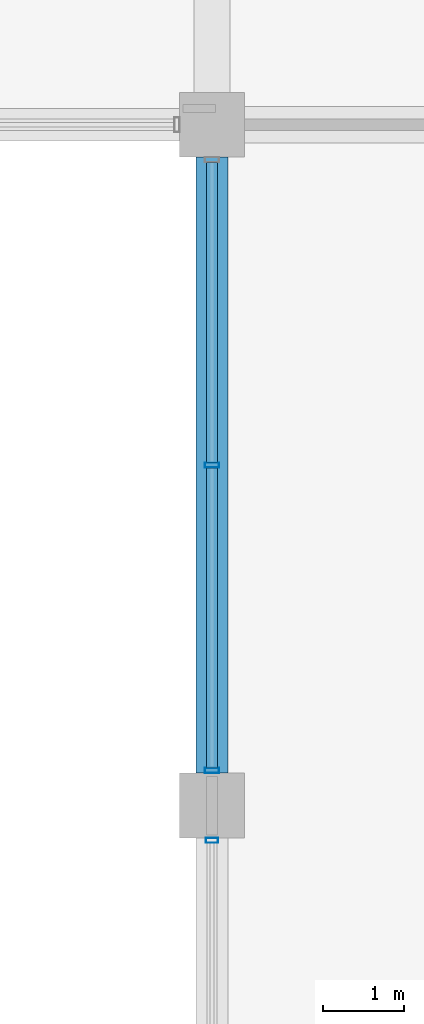
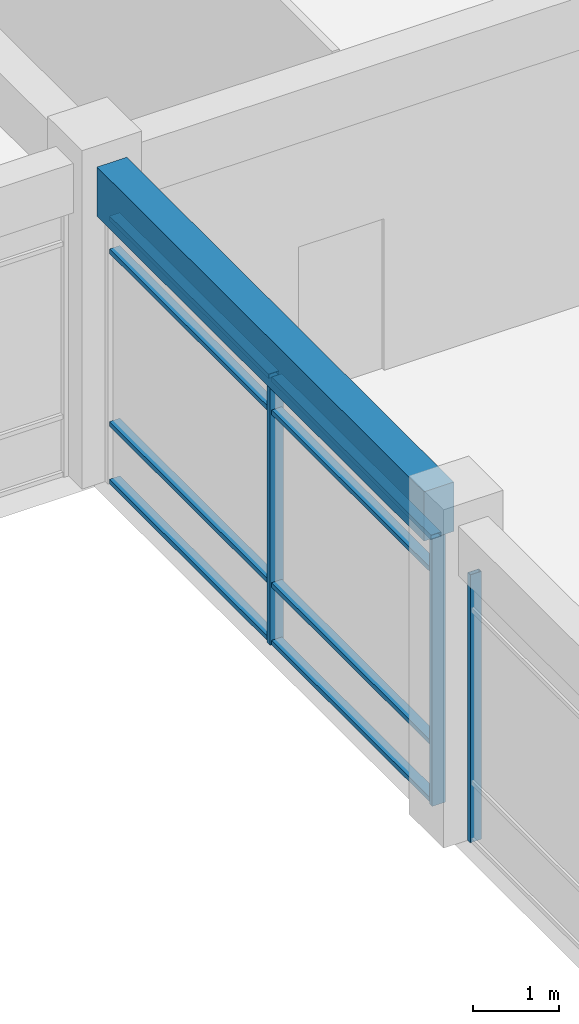
# One storey, part 33 of 62: 11 members, 1 beam, 2 elements without a shape of their own.
"""IFC4 building model written with IfcOpenShell, lengths in metres."""

from ifc_helpers import new_model, si_unit, direction, frame, origin, origin_2d, place, context, subcontext, project, spatial, rectangle, hollow_rectangle, extrude, material, material_profile, profile_set, type_object, element, aggregate, save


model = new_model("IFC4")

# Units and contexts
model_context = context("Model", 3, precision=1e-05, world=origin(), true_north=direction((0.0, 1.0)))
body_context = subcontext(model_context, "Body", "Model", "MODEL_VIEW")
ifc_project = project(units=[si_unit("LENGTHUNIT", "METRE"), si_unit("AREAUNIT", "SQUARE_METRE"), si_unit("VOLUMEUNIT", "CUBIC_METRE"), si_unit("PLANEANGLEUNIT", "RADIAN"), si_unit("MASSUNIT", "GRAM", prefix="KILO"), si_unit("THERMODYNAMICTEMPERATUREUNIT", "KELVIN"), si_unit("POWERUNIT", "WATT")], contexts=[model_context])

# Site, building, storey
site_placement = place(None, origin())
site = spatial("IfcSite", under=ifc_project, at=site_placement, CompositionType="ELEMENT")
building_placement = place(site_placement, origin())
building = spatial("IfcBuilding", under=site, at=building_placement, Name="Srebrne Nadtorze General Hospital", CompositionType="ELEMENT")
storey_placement = place(building_placement, frame((0.0, 0.0, 9.60009765625)))
storey = spatial("IfcBuildingStorey", under=building, at=storey_placement, Name="L02", CompositionType="ELEMENT", Elevation=9.60009765625)

# Curtain wall, member
ifc_material_1 = material(Name="Anodised Aluminium", Category="aluminium")
curtain_wall_type = type_object("IfcCurtainWallType", Name="Unitised curtain wall 7600x3800", PredefinedType="NOTDEFINED", material=ifc_material_1)
curtain_wall_1_placement = place(storey_placement, origin())
curtain_wall_1 = element("IfcCurtainWall", 1, at=curtain_wall_1_placement, inside=storey, type_object=curtain_wall_type, Name="Curtain wall CW-088", PredefinedType="NOTDEFINED")
ifc_material_2 = material(Name="Anodised Aluminium", Category="aluminium")
ifc_material_profile_1 = material_profile(ifc_material_2, hollow_rectangle(XDim=0.06005859375, YDim=0.14990234375, WallThickness=0.00390625, at=origin_2d()), Name="AL-MUL-60x150")
ifc_profile_set_1 = profile_set([ifc_material_profile_1], Name="Anodised Aluminium")
member_type_1 = type_object("IfcMemberType", Name="Curtain mullion 60x150", PredefinedType="MULLION", material=ifc_profile_set_1)
member_1_placement = place(storey_placement, frame((132.60009765625, 16.3701171875, 0.0), z_axis=(0.0, 0.0, 1.0), x_axis=(0.0, 1.0, 0.0)))
member_1 = element("IfcMember", 2, at=member_1_placement, type_object=member_type_1, Name="CW-088 mullion 3", PredefinedType="MULLION", context=body_context, shape_type="SweptSolid", body=[
    extrude(hollow_rectangle(XDim=0.06005859375, YDim=0.14990234375, WallThickness=0.00390625, at=origin_2d()), origin(), (0.0, 0.0, 1.0), 3.7998046875),
])
aggregate(curtain_wall_1, [member_1])

# Curtain wall, members
curtain_wall_2_placement = place(storey_placement, origin())
curtain_wall_2 = element("IfcCurtainWall", 3, at=curtain_wall_2_placement, inside=storey, type_object=curtain_wall_type, Name="Curtain wall CW-089", PredefinedType="NOTDEFINED")
ifc_material_3 = material(Name="Anodised Aluminium", Category="aluminium")
ifc_material_profile_2 = material_profile(ifc_material_3, hollow_rectangle(XDim=0.06494140625, YDim=0.179931640625, WallThickness=0.00390625, at=origin_2d()), Name="AL-MUL-65x180")
ifc_profile_set_2 = profile_set([ifc_material_profile_2], Name="Anodised Aluminium")
member_type_2 = type_object("IfcMemberType", Name="Curtain mullion 65x180", PredefinedType="MULLION", material=ifc_profile_set_2)
member_2_placement = place(storey_placement, frame((132.60009765625, 17.232421875, 0.0), z_axis=(0.0, 0.0, 1.0), x_axis=(0.0, 1.0, 0.0)))
member_2 = element("IfcMember", 4, at=member_2_placement, type_object=member_type_2, Name="CW-089 mullion 1", PredefinedType="MULLION", context=body_context, shape_type="SweptSolid", body=[
    extrude(hollow_rectangle(XDim=0.06494140625, YDim=0.179931640625, WallThickness=0.00390625, at=origin_2d()), origin(), (0.0, 0.0, 1.0), 3.7998046875),
])
member_3_placement = place(storey_placement, frame((132.60009765625, 21.0, 0.0), z_axis=(0.0, 0.0, 1.0), x_axis=(0.0, 1.0, 0.0)))
member_3 = element("IfcMember", 5, at=member_3_placement, type_object=member_type_2, Name="CW-089 mullion 2", PredefinedType="MULLION", context=body_context, shape_type="SweptSolid", body=[
    extrude(hollow_rectangle(XDim=0.06494140625, YDim=0.179931640625, WallThickness=0.00390625, at=origin_2d()), origin(), (0.0, 0.0, 1.0), 3.7998046875),
])
ifc_material_4 = material(Name="Anodised Aluminium", Category="aluminium")
ifc_material_profile_3 = material_profile(ifc_material_4, hollow_rectangle(XDim=0.06494140625, YDim=0.139892578125, WallThickness=0.00390625, at=origin_2d()), Name="AL-TRN-65x140")
ifc_profile_set_3 = profile_set([ifc_material_profile_3], Name="Anodised Aluminium")
member_type_3 = type_object("IfcMemberType", Name="Curtain transom 65x140", PredefinedType="USERDEFINED", material=ifc_profile_set_3)
member_4_placement = place(storey_placement, frame((132.60009765625, 17.264892578125, 0.032470703125), z_axis=(0.0, 1.0, 0.0), x_axis=(0.0, 0.0, 1.0)))
member_4 = element("IfcMember", 6, at=member_4_placement, type_object=member_type_3, Name="CW-089 transom 1.1", ObjectType="TRANSOM", PredefinedType="USERDEFINED", context=body_context, shape_type="SweptSolid", body=[
    extrude(hollow_rectangle(XDim=0.06494140625, YDim=0.139892578125, WallThickness=0.00390625, at=origin_2d()), origin(), (0.0, 0.0, 1.0), 3.70263671875),
])
member_5_placement = place(storey_placement, frame((132.60009765625, 17.264892578125, 0.849853515625), z_axis=(0.0, 1.0, 0.0), x_axis=(0.0, 0.0, 1.0)))
member_5 = element("IfcMember", 7, at=member_5_placement, type_object=member_type_3, Name="CW-089 transom 1.2", ObjectType="TRANSOM", PredefinedType="USERDEFINED", context=body_context, shape_type="SweptSolid", body=[
    extrude(hollow_rectangle(XDim=0.06494140625, YDim=0.139892578125, WallThickness=0.00390625, at=origin_2d()), origin(), (0.0, 0.0, 1.0), 3.70263671875),
])
member_6_placement = place(storey_placement, frame((132.60009765625, 17.264892578125, 3.2998046875), z_axis=(0.0, 1.0, 0.0), x_axis=(0.0, 0.0, 1.0)))
member_6 = element("IfcMember", 8, at=member_6_placement, type_object=member_type_3, Name="CW-089 transom 1.3", ObjectType="TRANSOM", PredefinedType="USERDEFINED", context=body_context, shape_type="SweptSolid", body=[
    extrude(hollow_rectangle(XDim=0.06494140625, YDim=0.139892578125, WallThickness=0.00390625, at=origin_2d()), origin(), (0.0, 0.0, 1.0), 3.70263671875),
])
member_7_placement = place(storey_placement, frame((132.60009765625, 17.264892578125, 3.767333984375), z_axis=(0.0, 1.0, 0.0), x_axis=(0.0, 0.0, 1.0)))
member_7 = element("IfcMember", 9, at=member_7_placement, type_object=member_type_3, Name="CW-089 transom 1.4", ObjectType="TRANSOM", PredefinedType="USERDEFINED", context=body_context, shape_type="SweptSolid", body=[
    extrude(hollow_rectangle(XDim=0.06494140625, YDim=0.139892578125, WallThickness=0.00390625, at=origin_2d()), origin(), (0.0, 0.0, 1.0), 3.70263671875),
])
member_8_placement = place(storey_placement, frame((132.60009765625, 21.032470703125, 0.032470703125), z_axis=(0.0, 1.0, 0.0), x_axis=(0.0, 0.0, 1.0)))
member_8 = element("IfcMember", 10, at=member_8_placement, type_object=member_type_3, Name="CW-089 transom 2.1", ObjectType="TRANSOM", PredefinedType="USERDEFINED", context=body_context, shape_type="SweptSolid", body=[
    extrude(hollow_rectangle(XDim=0.06494140625, YDim=0.139892578125, WallThickness=0.00390625, at=origin_2d()), origin(), (0.0, 0.0, 1.0), 3.70263671875),
])
member_9_placement = place(storey_placement, frame((132.60009765625, 21.032470703125, 0.849853515625), z_axis=(0.0, 1.0, 0.0), x_axis=(0.0, 0.0, 1.0)))
member_9 = element("IfcMember", 11, at=member_9_placement, type_object=member_type_3, Name="CW-089 transom 2.2", ObjectType="TRANSOM", PredefinedType="USERDEFINED", context=body_context, shape_type="SweptSolid", body=[
    extrude(hollow_rectangle(XDim=0.06494140625, YDim=0.139892578125, WallThickness=0.00390625, at=origin_2d()), origin(), (0.0, 0.0, 1.0), 3.70263671875),
])
member_10_placement = place(storey_placement, frame((132.60009765625, 21.032470703125, 3.2998046875), z_axis=(0.0, 1.0, 0.0), x_axis=(0.0, 0.0, 1.0)))
member_10 = element("IfcMember", 12, at=member_10_placement, type_object=member_type_3, Name="CW-089 transom 2.3", ObjectType="TRANSOM", PredefinedType="USERDEFINED", context=body_context, shape_type="SweptSolid", body=[
    extrude(hollow_rectangle(XDim=0.06494140625, YDim=0.139892578125, WallThickness=0.00390625, at=origin_2d()), origin(), (0.0, 0.0, 1.0), 3.70263671875),
])
member_11_placement = place(storey_placement, frame((132.60009765625, 21.032470703125, 3.767333984375), z_axis=(0.0, 1.0, 0.0), x_axis=(0.0, 0.0, 1.0)))
member_11 = element("IfcMember", 13, at=member_11_placement, type_object=member_type_3, Name="CW-089 transom 2.4", ObjectType="TRANSOM", PredefinedType="USERDEFINED", context=body_context, shape_type="SweptSolid", body=[
    extrude(hollow_rectangle(XDim=0.06494140625, YDim=0.139892578125, WallThickness=0.00390625, at=origin_2d()), origin(), (0.0, 0.0, 1.0), 3.70263671875),
])
aggregate(curtain_wall_2, [member_2, member_3, member_4, member_5, member_6, member_7, member_8, member_9, member_10, member_11])

# Beam
ifc_material_5 = material(Name="Concrete C40/50", Category="concrete")
ifc_material_profile_4 = material_profile(ifc_material_5, rectangle(XDim=0.39990234375, YDim=0.699951171875, at=origin_2d()), Name="RC-BM-400x700")
ifc_profile_set_4 = profile_set([ifc_material_profile_4], Name="Concrete C40/50")
beam_type = type_object("IfcBeamType", Name="Edge beam RC 400x700", PredefinedType="BEAM", material=ifc_profile_set_4)
beam_placement = place(storey_placement, frame((132.60009765625, 17.199951171875, 4.14990234375), z_axis=(0.0, 1.0, 0.0), x_axis=(-1.0, 0.0, 0.0)))
element("IfcBeam", 14, at=beam_placement, inside=storey, type_object=beam_type, Name="Beam BM-L02-Y-0695", PredefinedType="BEAM", context=body_context, shape_type="SweptSolid", body=[
    extrude(rectangle(XDim=0.39990234375, YDim=0.699951171875, at=origin_2d()), origin(), (0.0, 0.0, 1.0), 7.60009765625),
])

save(model, "model.ifc")
